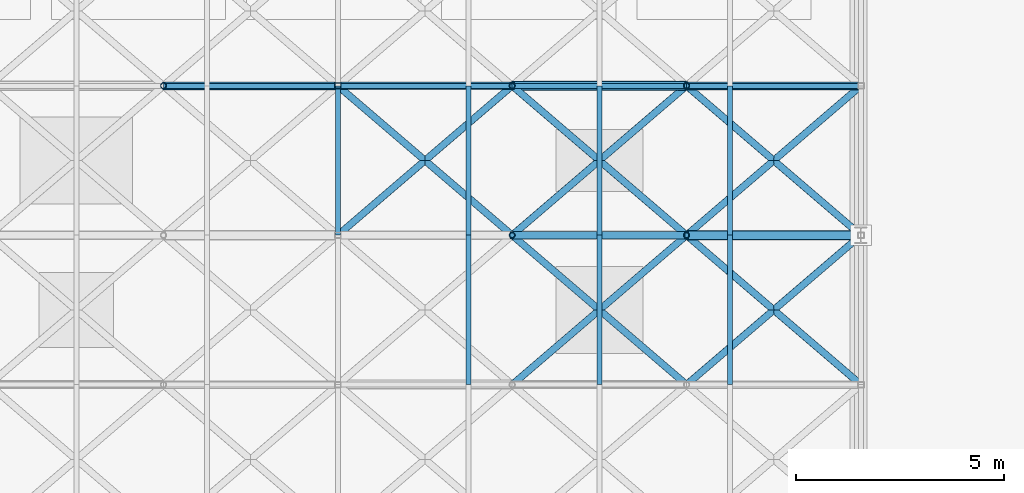
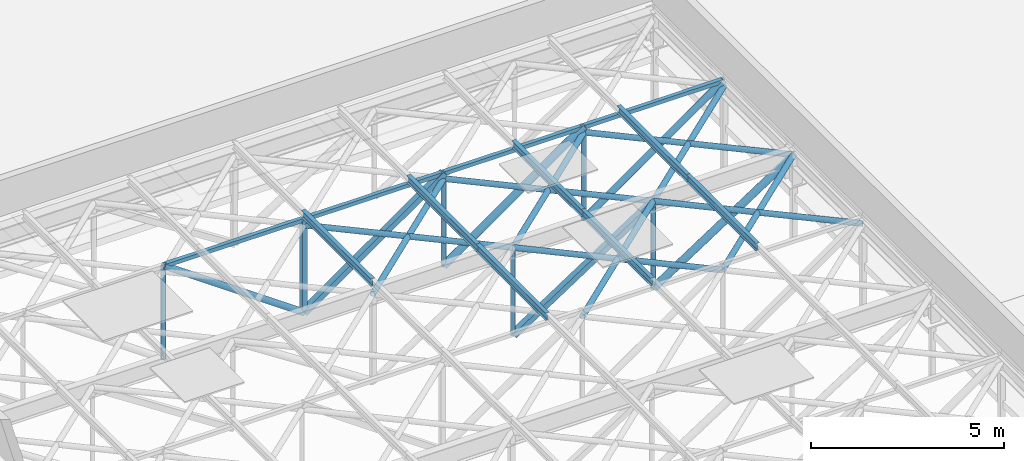
# One storey, part 23 of 45: 33 members.
"""IFC4 building model written with IfcOpenShell, lengths in metres."""

from ifc_helpers import new_model, si_unit, derived_unit, direction, frame, origin, origin_2d, place, context, subcontext, project, spatial, hollow_rectangle, hollow_circle, i_section, extrude, material, material_profile, profile_set, type_object, element, save


model = new_model("IFC4")

# Units and contexts
model_context = context("Model", 3, precision=1e-05, world=origin(), true_north=direction((0.0, 1.0)))
body_context = subcontext(model_context, "Body", "Model", "MODEL_VIEW")
ifc_project = project(units=[si_unit("LENGTHUNIT", "METRE"), si_unit("AREAUNIT", "SQUARE_METRE"), si_unit("VOLUMEUNIT", "CUBIC_METRE"), si_unit("PLANEANGLEUNIT", "RADIAN"), si_unit("MASSUNIT", "GRAM", prefix="KILO"), derived_unit("THERMALTRANSMITTANCEUNIT", [(si_unit("MASSUNIT", "GRAM", prefix="KILO"), 1), (si_unit("TIMEUNIT", "SECOND"), -3), (si_unit("THERMODYNAMICTEMPERATUREUNIT", "KELVIN"), -1)])], contexts=[model_context])

# Site, building, storey
site_placement = place(None, origin())
site = spatial("IfcSite", under=ifc_project, at=site_placement, CompositionType="ELEMENT")
building_placement = place(site_placement, origin())
building = spatial("IfcBuilding", under=site, at=building_placement, Name="Veldstrom Oceanarium and Marine Research Institute", CompositionType="ELEMENT")
storey_placement = place(building_placement, frame((0.0, 0.0, 22.199951171875)))
storey = spatial("IfcBuildingStorey", under=building, at=storey_placement, Name="L04", CompositionType="ELEMENT", Elevation=22.199951171875)

# Members
ifc_material_1 = material(Name="Steel S355JR", Category="steel")
ifc_material_profile_1 = material_profile(ifc_material_1, hollow_circle(Radius=0.109619140625, WallThickness=0.012451171875, at=origin_2d()), Name="CHS 219.1x12.5")
ifc_profile_set_1 = profile_set([ifc_material_profile_1], Name="Steel S355JR")
member_type_1 = type_object("IfcMemberType", Name="STR-MEM-BR1", PredefinedType="BRACE", material=ifc_profile_set_1)
member_1_placement = place(storey_placement, frame((37.800048828125, 50.39990234375, -1.89990234375), z_axis=(0.837217300889, 0.0, 0.546870360407), x_axis=(0.0, 1.0, 0.0)))
element("IfcMember", 1, at=member_1_placement, inside=storey, type_object=member_type_1, Name="Truss Web Diagonal RT11-6", PredefinedType="BRACE", context=body_context, shape_type="SweptSolid", body=[
    extrude(hollow_circle(Radius=0.109619140625, WallThickness=0.012451171875, at=origin_2d()), origin(), (0.0, 0.0, 1.0), 5.0166015625),
])
member_2_placement = place(storey_placement, frame((33.60009765625, 54.0, -1.89990234375), z_axis=(0.818316866904, 0.0, 0.574767348881), x_axis=(0.0, 1.0, 0.0)))
element("IfcMember", 2, at=member_2_placement, inside=storey, type_object=member_type_1, Name="Truss Web Diagonal RT12-5", PredefinedType="BRACE", context=body_context, shape_type="SweptSolid", body=[
    extrude(hollow_circle(Radius=0.109619140625, WallThickness=0.012451171875, at=origin_2d()), origin(), (0.0, 0.0, 1.0), 5.13232421875),
])
ifc_material_2 = material(Name="Steel S355JR", Category="steel")
ifc_material_profile_2 = material_profile(ifc_material_2, hollow_circle(Radius=0.096923828125, WallThickness=0.010009765625, at=origin_2d()), Name="CHS 193.7x10")
ifc_profile_set_2 = profile_set([ifc_material_profile_2], Name="Steel S355JR")
member_type_2 = type_object("IfcMemberType", Name="STR-MEM-BR2", PredefinedType="BRACE", material=ifc_profile_set_2)
for number, where, z_axis, x_axis, name in (
    (3, (25.199951171875, 54.0, 1.050048828125), (0.818316866904, 0.0, -0.574767348881), (0.0, 1.0, 0.0), "Truss Web Diagonal RT12-3"),
    (4, (37.800048828125, 54.0, -1.89990234375), (0.818316866904, 0.0, 0.574767348881), (0.0, 1.0, 0.0), "Truss Web Diagonal RT12-6"),
):
    element("IfcMember", number, at=place(storey_placement, frame(where, z_axis=z_axis, x_axis=x_axis)), inside=storey, type_object=member_type_2, Name=name, PredefinedType="BRACE", context=body_context, shape_type="SweptSolid", body=[
        extrude(hollow_circle(Radius=0.096923828125, WallThickness=0.010009765625, at=origin_2d()), origin(), (0.0, 0.0, 1.0), 5.13232421875),
    ])
ifc_material_3 = material(Name="Steel S355JR", Category="steel")
ifc_material_profile_3 = material_profile(ifc_material_3, hollow_circle(Radius=0.084228515625, WallThickness=0.008056640625, at=origin_2d()), Name="CHS 168.3x8")
ifc_profile_set_3 = profile_set([ifc_material_profile_3], Name="Steel S355JR")
member_type_3 = type_object("IfcMemberType", Name="STR-MEM-BR3", PredefinedType="BRACE", material=ifc_profile_set_3)
for number, where, z_axis, x_axis, name in (
    (5, (33.60009765625, 46.800048828125, 0.860107421875), (0.759265948664, 0.650780469282, 0.0), (-0.650780469282, 0.759265948664, 0.0), "Roof Plan Wind Brace WB-10-5"),
    (6, (37.800048828125, 46.800048828125, 0.860107421875), (-0.759265948664, 0.650780469282, 0.0), (-0.650780469282, -0.759265948664, 0.0), "Roof Plan Counter Wind Brace WB-10-5B"),
    (7, (37.800048828125, 46.800048828125, 0.860107421875), (0.759265948664, 0.650780469282, 0.0), (-0.650780469282, 0.759265948664, 0.0), "Roof Plan Wind Brace WB-10-6"),
    (8, (42.0, 46.800048828125, 0.860107421875), (-0.759265948664, 0.650780469282, 0.0), (-0.650780469282, -0.759265948664, 0.0), "Roof Plan Counter Wind Brace WB-10-6B"),
):
    element("IfcMember", number, at=place(storey_placement, frame(where, z_axis=z_axis, x_axis=x_axis)), inside=storey, type_object=member_type_3, Name=name, PredefinedType="BRACE", context=body_context, shape_type="SweptSolid", body=[
        extrude(hollow_circle(Radius=0.084228515625, WallThickness=0.008056640625, at=origin_2d()), origin(), (0.0, 0.0, 1.0), 5.531494140625),
    ])
for number, where, z_axis, x_axis, name in (
    (9, (29.39990234375, 50.39990234375, 0.860107421875), (0.759262832861, 0.650784104474, 0.0), (-0.650784104474, 0.759262832861, 0.0), "Roof Plan Wind Brace WB-11-4"),
    (10, (33.60009765625, 50.39990234375, 0.860107421875), (-0.759262832861, 0.650784104474, 0.0), (-0.650784104474, -0.759262832861, 0.0), "Roof Plan Counter Wind Brace WB-11-4B"),
):
    element("IfcMember", number, at=place(storey_placement, frame(where, z_axis=z_axis, x_axis=x_axis)), inside=storey, type_object=member_type_3, Name=name, PredefinedType="BRACE", context=body_context, shape_type="SweptSolid", body=[
        extrude(hollow_circle(Radius=0.084228515625, WallThickness=0.008056640625, at=origin_2d()), origin(), (0.0, 0.0, 1.0), 5.531982421875),
    ])
for number, where, z_axis, x_axis, name in (
    (11, (33.60009765625, 50.39990234375, 0.860107421875), (0.759244140748, 0.650805911728, 0.0), (-0.650805911728, 0.759244140748, 0.0), "Roof Plan Wind Brace WB-11-5"),
    (12, (37.800048828125, 50.39990234375, 0.860107421875), (-0.759244140748, 0.650805911728, 0.0), (-0.650805911728, -0.759244140748, 0.0), "Roof Plan Counter Wind Brace WB-11-5B"),
    (13, (37.800048828125, 50.39990234375, 0.860107421875), (0.759244140748, 0.650805911728, 0.0), (-0.650805911728, 0.759244140748, 0.0), "Roof Plan Wind Brace WB-11-6"),
    (14, (42.0, 50.39990234375, 0.860107421875), (-0.759244140748, 0.650805911728, 0.0), (-0.650805911728, -0.759244140748, 0.0), "Roof Plan Counter Wind Brace WB-11-6B"),
):
    element("IfcMember", number, at=place(storey_placement, frame(where, z_axis=z_axis, x_axis=x_axis)), inside=storey, type_object=member_type_3, Name=name, PredefinedType="BRACE", context=body_context, shape_type="SweptSolid", body=[
        extrude(hollow_circle(Radius=0.084228515625, WallThickness=0.008056640625, at=origin_2d()), origin(), (0.0, 0.0, 1.0), 5.53173828125),
    ])
ifc_material_4 = material(Name="Steel S355JR", Category="steel")
ifc_material_profile_4 = material_profile(ifc_material_4, hollow_rectangle(XDim=0.179931640625, YDim=0.179931640625, WallThickness=0.010009765625, at=origin_2d()), Name="SHS 180x180x10")
ifc_profile_set_4 = profile_set([ifc_material_profile_4], Name="Steel S355JR")
member_type_4 = type_object("IfcMemberType", Name="STR-MEM-BR4", PredefinedType="BRACE", material=ifc_profile_set_4)
member_3_placement = place(storey_placement, frame((33.60009765625, 50.39990234375, -1.89990234375), z_axis=(0.837217300889, 0.0, 0.546870360407), x_axis=(0.0, 1.0, 0.0)))
element("IfcMember", 15, at=member_3_placement, inside=storey, type_object=member_type_4, Name="Truss Web Diagonal RT11-5", PredefinedType="BRACE", context=body_context, shape_type="SweptSolid", body=[
    extrude(hollow_rectangle(XDim=0.179931640625, YDim=0.179931640625, WallThickness=0.010009765625, at=origin_2d()), origin(), (0.0, 0.0, 1.0), 5.0166015625),
])
member_4_placement = place(storey_placement, frame((29.39990234375, 54.0, -1.89990234375), z_axis=(0.81833258052, 0.0, 0.574744976193), x_axis=(0.0, 1.0, 0.0)))
element("IfcMember", 16, at=member_4_placement, inside=storey, type_object=member_type_4, Name="Truss Web Diagonal RT12-4", PredefinedType="BRACE", context=body_context, shape_type="SweptSolid", body=[
    extrude(hollow_rectangle(XDim=0.179931640625, YDim=0.179931640625, WallThickness=0.010009765625, at=origin_2d()), origin(), (0.0, 0.0, 1.0), 5.132568359375),
])
ifc_material_5 = material(Name="Steel S355JR", Category="steel")
ifc_material_profile_5 = material_profile(ifc_material_5, i_section(OverallWidth=0.1201171875, OverallDepth=0.239990234375, WebThickness=0.006103515625, FlangeThickness=0.009765625, FilletRadius=0.014892578125, at=origin_2d()), Name="IPE 240")
ifc_profile_set_5 = profile_set([ifc_material_profile_5], Name="Steel S355JR")
member_type_5 = type_object("IfcMemberType", Name="STR-MEM-PR1", PredefinedType="PURLIN", material=ifc_profile_set_5)
for number, where, z_axis, x_axis, name in (
    (17, (32.550048828125, 46.800048828125, 1.22998046875), (0.0, 1.0, 0.0), (-1.0, 0.0, 0.0), "Hall Roof Purlin PR-11-6"),
    (18, (35.699951171875, 46.800048828125, 1.22998046875), (0.0, 1.0, 0.0), (-1.0, 0.0, 0.0), "Hall Roof Purlin PR-11-7"),
    (19, (38.85009765625, 46.800048828125, 1.22998046875), (0.0, 1.0, 0.0), (-1.0, 0.0, 0.0), "Hall Roof Purlin PR-11-8"),
):
    element("IfcMember", number, at=place(storey_placement, frame(where, z_axis=z_axis, x_axis=x_axis)), inside=storey, type_object=member_type_5, Name=name, PredefinedType="PURLIN", context=body_context, shape_type="SweptSolid", body=[
        extrude(i_section(OverallWidth=0.1201171875, OverallDepth=0.239990234375, WebThickness=0.006103515625, FlangeThickness=0.009765625, FilletRadius=0.014892578125, at=origin_2d()), origin(), (0.0, 0.0, 1.0), 3.599853515625),
    ])
for number, where, z_axis, x_axis, name in (
    (20, (29.39990234375, 50.39990234375, 1.22998046875), (0.0, 1.0, 0.0), (-1.0, 0.0, 0.0), "Hall Roof Purlin PR-12-5"),
    (21, (32.550048828125, 50.39990234375, 1.22998046875), (0.0, 1.0, 0.0), (-1.0, 0.0, 0.0), "Hall Roof Purlin PR-12-6"),
    (22, (35.699951171875, 50.39990234375, 1.22998046875), (0.0, 1.0, 0.0), (-1.0, 0.0, 0.0), "Hall Roof Purlin PR-12-7"),
    (23, (38.85009765625, 50.39990234375, 1.22998046875), (0.0, 1.0, 0.0), (-1.0, 0.0, 0.0), "Hall Roof Purlin PR-12-8"),
):
    element("IfcMember", number, at=place(storey_placement, frame(where, z_axis=z_axis, x_axis=x_axis)), inside=storey, type_object=member_type_5, Name=name, PredefinedType="PURLIN", context=body_context, shape_type="SweptSolid", body=[
        extrude(i_section(OverallWidth=0.1201171875, OverallDepth=0.239990234375, WebThickness=0.006103515625, FlangeThickness=0.009765625, FilletRadius=0.014892578125, at=origin_2d()), origin(), (0.0, 0.0, 1.0), 3.60009765625),
    ])
ifc_material_6 = material(Name="Steel S355JR", Category="steel")
ifc_material_profile_6 = material_profile(ifc_material_6, hollow_rectangle(XDim=0.14990234375, YDim=0.14990234375, WallThickness=0.010009765625, at=origin_2d()), Name="SHS 150x150x10")
ifc_profile_set_6 = profile_set([ifc_material_profile_6], Name="Steel S355JR")
member_type_6 = type_object("IfcMemberType", Name="STR-MEM-PS1", PredefinedType="POST", material=ifc_profile_set_6)
member_5_placement = place(storey_placement, frame((29.39990234375, 54.0, -1.89990234375), z_axis=(0.0, 0.0, 1.0), x_axis=(1.0, 0.0, 0.0)))
element("IfcMember", 24, at=member_5_placement, inside=storey, type_object=member_type_6, Name="Truss Vertical Post RT12-4", PredefinedType="POST", context=body_context, shape_type="SweptSolid", body=[
    extrude(hollow_rectangle(XDim=0.14990234375, YDim=0.14990234375, WallThickness=0.010009765625, at=origin_2d()), origin(), (0.0, 0.0, 1.0), 2.949951171875),
])
ifc_material_7 = material(Name="Steel S355JR", Category="steel")
ifc_material_profile_7 = material_profile(ifc_material_7, hollow_circle(Radius=0.06982421875, WallThickness=0.008056640625, at=origin_2d()), Name="CHS 139.7x8")
ifc_profile_set_7 = profile_set([ifc_material_profile_7], Name="Steel S355JR")
member_type_7 = type_object("IfcMemberType", Name="STR-MEM-PS2", PredefinedType="POST", material=ifc_profile_set_7)
for number, where, z_axis, x_axis, name in (
    (25, (33.60009765625, 50.39990234375, -1.89990234375), (0.0, 0.0, 1.0), (1.0, 0.0, 0.0), "Truss Vertical Post RT11-5"),
    (26, (37.800048828125, 50.39990234375, -1.89990234375), (0.0, 0.0, 1.0), (1.0, 0.0, 0.0), "Truss Vertical Post RT11-6"),
):
    element("IfcMember", number, at=place(storey_placement, frame(where, z_axis=z_axis, x_axis=x_axis)), inside=storey, type_object=member_type_7, Name=name, PredefinedType="POST", context=body_context, shape_type="SweptSolid", body=[
        extrude(hollow_circle(Radius=0.06982421875, WallThickness=0.008056640625, at=origin_2d()), origin(), (0.0, 0.0, 1.0), 2.743408203125),
    ])
for number, where, z_axis, x_axis, name in (
    (27, (25.199951171875, 54.0, -1.89990234375), (0.0, 0.0, 1.0), (1.0, 0.0, 0.0), "Truss Vertical Post RT12-3"),
    (28, (33.60009765625, 54.0, -1.89990234375), (0.0, 0.0, 1.0), (1.0, 0.0, 0.0), "Truss Vertical Post RT12-5"),
    (29, (37.800048828125, 54.0, -1.89990234375), (0.0, 0.0, 1.0), (1.0, 0.0, 0.0), "Truss Vertical Post RT12-6"),
):
    element("IfcMember", number, at=place(storey_placement, frame(where, z_axis=z_axis, x_axis=x_axis)), inside=storey, type_object=member_type_7, Name=name, PredefinedType="POST", context=body_context, shape_type="SweptSolid", body=[
        extrude(hollow_circle(Radius=0.06982421875, WallThickness=0.008056640625, at=origin_2d()), origin(), (0.0, 0.0, 1.0), 2.949951171875),
    ])
ifc_material_8 = material(Name="Steel S355JR", Category="steel")
ifc_material_profile_8 = material_profile(ifc_material_8, hollow_rectangle(XDim=0.1201171875, YDim=0.1201171875, WallThickness=0.008056640625, at=origin_2d()), Name="SHS 120x120x8")
ifc_profile_set_8 = profile_set([ifc_material_profile_8], Name="Steel S355JR")
member_type_8 = type_object("IfcMemberType", Name="STR-MEM-RF1", PredefinedType="RAFTER", material=ifc_profile_set_8)
member_6_placement = place(storey_placement, frame((25.199951171875, 54.0, 1.050048828125), z_axis=(1.0, 0.0, 0.0), x_axis=(0.0, 1.0, 0.0)))
element("IfcMember", 30, at=member_6_placement, inside=storey, type_object=member_type_8, Name="Truss Top Rafter RT12-3", PredefinedType="RAFTER", context=body_context, shape_type="SweptSolid", body=[
    extrude(hollow_rectangle(XDim=0.1201171875, YDim=0.1201171875, WallThickness=0.008056640625, at=origin_2d()), origin(), (0.0, 0.0, 1.0), 4.199951171875),
])
member_7_placement = place(storey_placement, frame((29.39990234375, 54.0, 1.050048828125), z_axis=(1.0, 0.0, 0.0), x_axis=(0.0, 1.0, 0.0)))
element("IfcMember", 31, at=member_7_placement, inside=storey, type_object=member_type_8, Name="Truss Top Rafter RT12-4", PredefinedType="RAFTER", context=body_context, shape_type="SweptSolid", body=[
    extrude(hollow_rectangle(XDim=0.1201171875, YDim=0.1201171875, WallThickness=0.008056640625, at=origin_2d()), origin(), (0.0, 0.0, 1.0), 4.2001953125),
])
for number, where, z_axis, x_axis, name in (
    (32, (33.60009765625, 54.0, 1.050048828125), (1.0, 0.0, 0.0), (0.0, 1.0, 0.0), "Truss Top Rafter RT12-5"),
    (33, (37.800048828125, 54.0, 1.050048828125), (1.0, 0.0, 0.0), (0.0, 1.0, 0.0), "Truss Top Rafter RT12-6"),
):
    element("IfcMember", number, at=place(storey_placement, frame(where, z_axis=z_axis, x_axis=x_axis)), inside=storey, type_object=member_type_8, Name=name, PredefinedType="RAFTER", context=body_context, shape_type="SweptSolid", body=[
        extrude(hollow_rectangle(XDim=0.1201171875, YDim=0.1201171875, WallThickness=0.008056640625, at=origin_2d()), origin(), (0.0, 0.0, 1.0), 4.199951171875),
    ])

save(model, "model.ifc")
